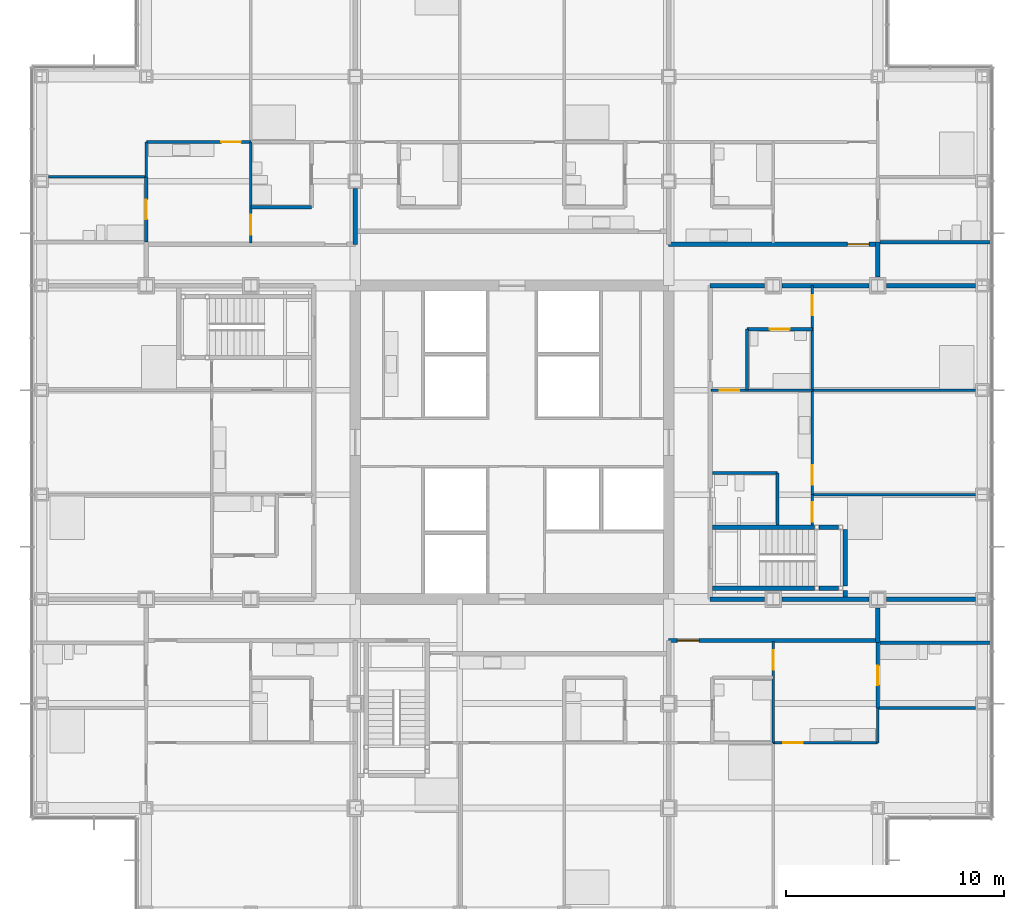
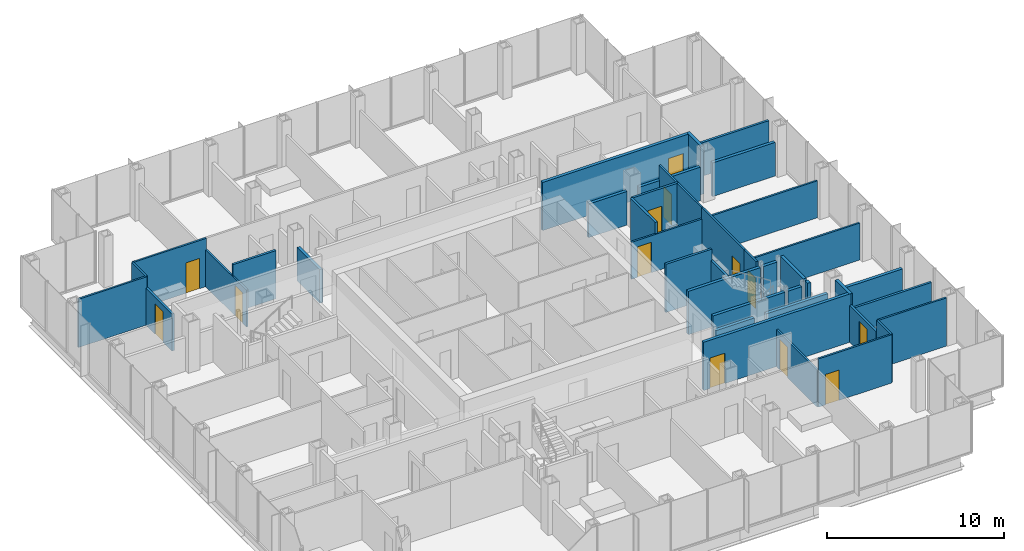
# One storey, part 16 of 21: 40 walls, 13 doors, 13 openings.
"""IFC4 building model written with IfcOpenShell, lengths in metres."""

from ifc_helpers import new_model, si_unit, direction, frame, frame_2d, origin, place, context, subcontext, project, spatial, rectangle, extrude, material, layer, layer_set, type_object, element, fill, save


model = new_model("IFC4")

# Units and contexts
model_context = context("Model", 3, precision=1e-05, world=origin(), true_north=direction((0.0, 1.0)))
body_context = subcontext(model_context, "Body", "Model", "MODEL_VIEW")
ifc_project = project(units=[si_unit("LENGTHUNIT", "METRE"), si_unit("AREAUNIT", "SQUARE_METRE"), si_unit("VOLUMEUNIT", "CUBIC_METRE"), si_unit("PLANEANGLEUNIT", "RADIAN"), si_unit("MASSUNIT", "GRAM", prefix="KILO")], contexts=[model_context])

# Site, building, storey
site_placement = place(None, origin())
site = spatial("IfcSite", under=ifc_project, at=site_placement, CompositionType="ELEMENT")
building_placement = place(site_placement, origin())
building = spatial("IfcBuilding", under=site, at=building_placement, Name="Kvirike Care Tower", CompositionType="ELEMENT")
storey_placement = place(building_placement, frame((0.0, 0.0, 65.5)))
storey = spatial("IfcBuildingStorey", under=building, at=storey_placement, Name="L17", CompositionType="ELEMENT", Elevation=65.5)

# Wall
ifc_material_1 = material(Name="Moisture-resistant board partition", Category="gypsum")
ifc_layer_1 = layer(ifc_material_1, 0.14990234375)
ifc_layer_set_1 = layer_set([ifc_layer_1], Name="BATHROOM WALL 150")
wall_type_1 = type_object("IfcWallType", Name="BATHROOM WALL 150", PredefinedType="PARTITIONING", material=ifc_layer_set_1)
wall_1_placement = place(storey_placement, frame((12.39990234375, 46.800048828125, 0.0), z_axis=(0.0, 0.0, 1.0), x_axis=(-1.0, 0.0, 0.0)))
element("IfcWall", 1, at=wall_1_placement, inside=storey, type_object=wall_type_1, Name="Bathroom Wall 150 L17", PredefinedType="PARTITIONING", context=body_context, shape_type="SweptSolid", body=[
    extrude(rectangle(XDim=2.7998046875, YDim=0.14990234375, at=frame_2d((1.39990234375, 0.0))), origin(), (0.0, 0.0, 1.0), 3.330078125),
])

# Wall, opening, door
wall_2_placement = place(storey_placement, frame((4.800048828125, 48.199951171875, 0.0), z_axis=(0.0, 0.0, 1.0), x_axis=(0.0, -1.0, 0.0)))
wall_2 = element("IfcWall", 2, at=wall_2_placement, inside=storey, type_object=wall_type_1, Name="Bathroom Wall 150 L17", PredefinedType="PARTITIONING", context=body_context, shape_type="SweptSolid", body=[
    extrude(rectangle(XDim=3.0, YDim=0.14990234375, at=frame_2d((1.5, 0.0))), origin(), (0.0, 0.0, 1.0), 2.550048828125),
])
opening_1_placement = place(wall_2_placement, frame((1.050048828125, 0.0, 0.0)))
opening_1 = element("IfcOpeningElement", 3, at=opening_1_placement, cuts=wall_2, Name="Opening 17-016", PredefinedType="OPENING", context=body_context, shape_type="SweptSolid", body=[
    extrude(rectangle(XDim=0.89990234375, YDim=2.10009765625, at=frame_2d((0.449951171875, 1.050048828125))), frame((0.0, 0.08544921875, 0.0), z_axis=(0.0, -1.0, 0.0), x_axis=(1.0, 0.0, 0.0)), (0.0, 0.0, 1.0), 0.1708984375),
])
ifc_material_2 = material(Name="Timber door set", Category="wood")
door_type_1 = type_object("IfcDoorType", Name="BATHROOM DOOR 900", OperationType="SINGLE_SWING_RIGHT", PredefinedType="DOOR", material=ifc_material_2)
door_1_placement = place(opening_1_placement, frame((0.89990234375, 0.0, 0.0), z_axis=(0.0, 0.0, 1.0), x_axis=(-1.0, 0.0, 0.0)))
door_1 = element("IfcDoor", 4, at=door_1_placement, inside=storey, type_object=door_type_1, Name="Bathroom door", OperationType="SINGLE_SWING_LEFT", OverallHeight=2.10009765625, OverallWidth=0.89990234375, PredefinedType="DOOR", context=body_context, shape_type="SweptSolid", body=[
    extrude(rectangle(XDim=0.89990234375, YDim=2.10009765625, at=frame_2d((0.449951171875, 1.050048828125))), frame((0.0, 0.02197265625, 0.0), z_axis=(0.0, -1.0, 0.0), x_axis=(1.0, 0.0, 0.0)), (0.0, 0.0, 1.0), 0.0439453125),
])
fill(opening_1, door_1)

wall_3_placement = place(storey_placement, frame((38.39990234375, 23.800048828125, 0.0), z_axis=(0.0, 0.0, 1.0), x_axis=(0.0, 1.0, 0.0)))
wall_3 = element("IfcWall", 5, at=wall_3_placement, inside=storey, type_object=wall_type_1, Name="Bathroom Wall 150 L17", PredefinedType="PARTITIONING", context=body_context, shape_type="SweptSolid", body=[
    extrude(rectangle(XDim=3.0, YDim=0.14990234375, at=frame_2d((1.5, 0.0))), origin(), (0.0, 0.0, 1.0), 2.550048828125),
])
opening_2_placement = place(wall_3_placement, frame((1.050048828125, 0.0, 0.0)))
opening_2 = element("IfcOpeningElement", 6, at=opening_2_placement, cuts=wall_3, Name="Opening 17-034", PredefinedType="OPENING", context=body_context, shape_type="SweptSolid", body=[
    extrude(rectangle(XDim=0.89990234375, YDim=2.10009765625, at=frame_2d((0.449951171875, 1.050048828125))), frame((0.0, 0.08544921875, 0.0), z_axis=(0.0, -1.0, 0.0), x_axis=(1.0, 0.0, 0.0)), (0.0, 0.0, 1.0), 0.1708984375),
])
door_2_placement = place(opening_2_placement, frame((0.89990234375, 0.0, 0.0), z_axis=(0.0, 0.0, 1.0), x_axis=(-1.0, 0.0, 0.0)))
door_2 = element("IfcDoor", 7, at=door_2_placement, inside=storey, type_object=door_type_1, Name="Bathroom door", OperationType="SINGLE_SWING_LEFT", OverallHeight=2.10009765625, OverallWidth=0.89990234375, PredefinedType="DOOR", context=body_context, shape_type="SweptSolid", body=[
    extrude(rectangle(XDim=0.89990234375, YDim=2.10009765625, at=frame_2d((0.449951171875, 1.050048828125))), frame((0.0, 0.02197265625, 0.0), z_axis=(0.0, -1.0, 0.0), x_axis=(1.0, 0.0, 0.0)), (0.0, 0.0, 1.0), 0.0439453125),
])
fill(opening_2, door_2)

# Walls
wall_4_placement = place(storey_placement, frame((33.800048828125, 32.199951171875, 0.0), z_axis=(0.0, 0.0, 1.0), x_axis=(0.0, 1.0, 0.0)))
element("IfcWall", 8, at=wall_4_placement, inside=storey, type_object=wall_type_1, Name="Bathroom Wall 150 L17", PredefinedType="PARTITIONING", context=body_context, shape_type="SweptSolid", body=[
    extrude(rectangle(XDim=2.400146484375, YDim=0.14990234375, at=frame_2d((1.2001953125, 0.0))), origin(), (0.0, 0.0, 1.0), 2.550048828125),
])
wall_5_placement = place(storey_placement, frame((33.800048828125, 34.60009765625, 0.0), z_axis=(0.0, 0.0, 1.0), x_axis=(-1.0, 0.0, 0.0)))
element("IfcWall", 9, at=wall_5_placement, inside=storey, type_object=wall_type_1, Name="Bathroom Wall 150 L17", PredefinedType="PARTITIONING", context=body_context, shape_type="SweptSolid", body=[
    extrude(rectangle(XDim=3.0, YDim=0.14990234375, at=frame_2d((1.5, 0.0))), origin(), (0.0, 0.0, 1.0), 3.330078125),
])

# Wall, opening, door
wall_6_placement = place(storey_placement, frame((35.39990234375, 41.199951171875, 0.0), z_axis=(0.0, 0.0, 1.0), x_axis=(-1.0, 0.0, 0.0)))
wall_6 = element("IfcWall", 10, at=wall_6_placement, inside=storey, type_object=wall_type_1, Name="Bathroom Wall 150 L17", PredefinedType="PARTITIONING", context=body_context, shape_type="SweptSolid", body=[
    extrude(rectangle(XDim=3.0, YDim=0.14990234375, at=frame_2d((1.5, 0.0))), origin(), (0.0, 0.0, 1.0), 3.330078125),
])
opening_3_placement = place(wall_6_placement, frame((1.050048828125, 0.0, 0.0)))
opening_3 = element("IfcOpeningElement", 11, at=opening_3_placement, cuts=wall_6, Name="Opening 17-039", PredefinedType="OPENING", context=body_context, shape_type="SweptSolid", body=[
    extrude(rectangle(XDim=0.89990234375, YDim=2.10009765625, at=frame_2d((0.449951171875, 1.050048828125))), frame((0.0, 0.08544921875, 0.0), z_axis=(0.0, -1.0, 0.0), x_axis=(1.0, 0.0, 0.0)), (0.0, 0.0, 1.0), 0.1708984375),
])
door_3_placement = place(opening_3_placement, origin())
door_3 = element("IfcDoor", 12, at=door_3_placement, inside=storey, type_object=door_type_1, Name="Bathroom door", OperationType="SINGLE_SWING_RIGHT", OverallHeight=2.10009765625, OverallWidth=0.89990234375, PredefinedType="DOOR", context=body_context, shape_type="SweptSolid", body=[
    extrude(rectangle(XDim=0.89990234375, YDim=2.10009765625, at=frame_2d((0.449951171875, 1.050048828125))), frame((0.0, 0.02197265625, 0.0), z_axis=(0.0, -1.0, 0.0), x_axis=(1.0, 0.0, 0.0)), (0.0, 0.0, 1.0), 0.0439453125),
])
fill(opening_3, door_3)

# Walls
wall_7_placement = place(storey_placement, frame((32.39990234375, 38.39990234375, 0.0), z_axis=(0.0, 0.0, 1.0), x_axis=(0.0, 1.0, 0.0)))
element("IfcWall", 13, at=wall_7_placement, inside=storey, type_object=wall_type_1, Name="Bathroom Wall 150 L17", PredefinedType="PARTITIONING", context=body_context, shape_type="SweptSolid", body=[
    extrude(rectangle(XDim=2.800048828125, YDim=0.14990234375, at=frame_2d((1.39990234375, 0.0))), origin(), (0.0, 0.0, 1.0), 3.330078125),
])
for number, where, z_axis, x_axis, name in (
    (14, (38.5, 26.800048828125, 0.0), (0.0, 0.0, 1.0), (1.0, 0.0, 0.0), "Bathroom Wall 150 L17"),
    (15, (43.6298828125, 45.199951171875, 0.0), (0.0, 0.0, 1.0), (-1.0, 0.0, 0.0), "Bathroom Wall 150 L17"),
):
    element("IfcWall", number, at=place(storey_placement, frame(where, z_axis=z_axis, x_axis=x_axis)), inside=storey, type_object=wall_type_1, Name=name, PredefinedType="PARTITIONING", context=body_context, shape_type="SweptSolid", body=[
        extrude(rectangle(XDim=5.1298828125, YDim=0.14990234375, at=frame_2d((2.56494140625, 0.0))), origin(), (0.0, 0.0, 1.0), 2.320068359375),
    ])

# Wall, opening, door
ifc_material_3 = material(Name="Plasterboard corridor wall", Category="gypsum")
ifc_layer_2 = layer(ifc_material_3, 0.199951171875)
ifc_layer_set_2 = layer_set([ifc_layer_2], Name="CORRIDOR WALL 200")
wall_type_2 = type_object("IfcWallType", Name="CORRIDOR WALL 200", PredefinedType="PARTITIONING", material=ifc_layer_set_2)
wall_8_placement = place(storey_placement, frame((28.800048828125, 26.89990234375, 0.0), z_axis=(0.0, 0.0, 1.0), x_axis=(1.0, 0.0, 0.0)))
wall_8 = element("IfcWall", 16, at=wall_8_placement, inside=storey, type_object=wall_type_2, Name="Corridor Wall 200 L17", PredefinedType="PARTITIONING", context=body_context, shape_type="SweptSolid", body=[
    extrude(rectangle(XDim=9.599853515625, YDim=0.199951171875, at=frame_2d((4.7998046875, 0.0))), origin(), (0.0, 0.0, 1.0), 3.330078125),
])
opening_4_placement = place(wall_8_placement, frame((0.39990234375, 0.0, 0.0)))
opening_4 = element("IfcOpeningElement", 17, at=opening_4_placement, cuts=wall_8, Name="Opening 17-038", PredefinedType="OPENING", context=body_context, shape_type="SweptSolid", body=[
    extrude(rectangle(XDim=1.0, YDim=2.10009765625, at=frame_2d((0.5, 1.050048828125))), frame((0.0, 0.110595703125, 0.0), z_axis=(0.0, -1.0, 0.0), x_axis=(1.0, 0.0, 0.0)), (0.0, 0.0, 1.0), 0.220947265625),
])
ifc_material_4 = material(Name="Timber door set", Category="wood")
door_type_2 = type_object("IfcDoorType", Name="FLAT ENTRANCE DOOR 1000", OperationType="SINGLE_SWING_LEFT", PredefinedType="DOOR", material=ifc_material_4)
door_4_placement = place(opening_4_placement, frame((1.0, 0.0, 0.0), z_axis=(0.0, 0.0, 1.0), x_axis=(-1.0, 0.0, 0.0)))
door_4 = element("IfcDoor", 18, at=door_4_placement, inside=storey, type_object=door_type_2, Name="One-bedroom apartment entrance", OperationType="SINGLE_SWING_LEFT", OverallHeight=2.10009765625, OverallWidth=1.0, PredefinedType="DOOR", context=body_context, shape_type="SweptSolid", body=[
    extrude(rectangle(XDim=1.0, YDim=2.10009765625, at=frame_2d((0.5, 1.050048828125))), frame((0.0, 0.02685546875, 0.0), z_axis=(0.0, -1.0, 0.0), x_axis=(1.0, 0.0, 0.0)), (0.0, 0.0, 1.0), 0.053955078125),
])
fill(opening_4, door_4)

# Wall
wall_9_placement = place(storey_placement, frame((38.39990234375, 26.800048828125, 0.0), z_axis=(0.0, 0.0, 1.0), x_axis=(0.0, 1.0, 0.0)))
element("IfcWall", 19, at=wall_9_placement, inside=storey, type_object=wall_type_2, Name="Corridor Wall 200 L17", PredefinedType="PARTITIONING", context=body_context, shape_type="SweptSolid", body=[
    extrude(rectangle(XDim=1.60498046875, YDim=0.199951171875, at=frame_2d((0.802490234375, 0.0))), origin(), (0.0, 0.0, 1.0), 3.330078125),
])

# Wall, opening, door
wall_10_placement = place(storey_placement, frame((38.39990234375, 45.10009765625, 0.0), z_axis=(0.0, 0.0, 1.0), x_axis=(-1.0, 0.0, 0.0)))
wall_10 = element("IfcWall", 20, at=wall_10_placement, inside=storey, type_object=wall_type_2, Name="Corridor Wall 200 L17", PredefinedType="PARTITIONING", context=body_context, shape_type="SweptSolid", body=[
    extrude(rectangle(XDim=9.599853515625, YDim=0.199951171875, at=frame_2d((4.7998046875, 0.0))), origin(), (0.0, 0.0, 1.0), 3.330078125),
])
opening_5_placement = place(wall_10_placement, frame((0.39990234375, 0.0, 0.0)))
opening_5 = element("IfcOpeningElement", 21, at=opening_5_placement, cuts=wall_10, Name="Opening 17-052", PredefinedType="OPENING", context=body_context, shape_type="SweptSolid", body=[
    extrude(rectangle(XDim=1.0, YDim=2.10009765625, at=frame_2d((0.5, 1.050048828125))), frame((0.0, 0.110595703125, 0.0), z_axis=(0.0, -1.0, 0.0), x_axis=(1.0, 0.0, 0.0)), (0.0, 0.0, 1.0), 0.220947265625),
])
door_5_placement = place(opening_5_placement, frame((1.0, 0.0, 0.0), z_axis=(0.0, 0.0, 1.0), x_axis=(-1.0, 0.0, 0.0)))
door_5 = element("IfcDoor", 22, at=door_5_placement, inside=storey, type_object=door_type_2, Name="One-bedroom apartment entrance", OperationType="SINGLE_SWING_LEFT", OverallHeight=2.10009765625, OverallWidth=1.0, PredefinedType="DOOR", context=body_context, shape_type="SweptSolid", body=[
    extrude(rectangle(XDim=1.0, YDim=2.10009765625, at=frame_2d((0.5, 1.050048828125))), frame((0.0, 0.02685546875, 0.0), z_axis=(0.0, -1.0, 0.0), x_axis=(1.0, 0.0, 0.0)), (0.0, 0.0, 1.0), 0.053955078125),
])
fill(opening_5, door_5)

# Wall
wall_11_placement = place(storey_placement, frame((38.39990234375, 45.199951171875, 0.0), z_axis=(0.0, 0.0, 1.0), x_axis=(0.0, -1.0, 0.0)))
element("IfcWall", 23, at=wall_11_placement, inside=storey, type_object=wall_type_2, Name="Corridor Wall 200 L17", PredefinedType="PARTITIONING", context=body_context, shape_type="SweptSolid", body=[
    extrude(rectangle(XDim=1.60498046875, YDim=0.199951171875, at=frame_2d((0.802490234375, 0.0))), origin(), (0.0, 0.0, 1.0), 3.330078125),
])

# Wall, opening, door
ifc_material_5 = material(Name="Plasterboard partition", Category="gypsum")
ifc_layer_3 = layer(ifc_material_5, 0.1201171875)
ifc_layer_set_3 = layer_set([ifc_layer_3], Name="PARTITION 120")
wall_type_3 = type_object("IfcWallType", Name="PARTITION 120", PredefinedType="PARTITIONING", material=ifc_layer_set_3)
wall_12_placement = place(storey_placement, frame((9.60009765625, 49.800048828125, 0.0), z_axis=(0.0, 0.0, 1.0), x_axis=(0.0, -1.0, 0.0)))
wall_12 = element("IfcWall", 24, at=wall_12_placement, inside=storey, type_object=wall_type_3, Name="Partition 120 L17", PredefinedType="PARTITIONING", context=body_context, shape_type="SweptSolid", body=[
    extrude(rectangle(XDim=4.650146484375, YDim=0.1201171875, at=frame_2d((2.3251953125, 0.0))), origin(), (0.0, 0.0, 1.0), 2.550048828125),
])
opening_6_placement = place(wall_12_placement, frame((3.35009765625, 0.0, 0.0)))
opening_6 = element("IfcOpeningElement", 25, at=opening_6_placement, cuts=wall_12, Name="Opening 17-017", PredefinedType="OPENING", context=body_context, shape_type="SweptSolid", body=[
    extrude(rectangle(XDim=0.89990234375, YDim=2.10009765625, at=frame_2d((0.449951171875, 1.050048828125))), frame((0.0, 0.070556640625, 0.0), z_axis=(0.0, -1.0, 0.0), x_axis=(1.0, 0.0, 0.0)), (0.0, 0.0, 1.0), 0.14111328125),
])
ifc_material_6 = material(Name="Timber door set", Category="wood")
door_type_3 = type_object("IfcDoorType", Name="INTERNAL DOOR 900", OperationType="SINGLE_SWING_LEFT", PredefinedType="DOOR", material=ifc_material_6)
door_6_placement = place(opening_6_placement, origin())
door_6 = element("IfcDoor", 26, at=door_6_placement, inside=storey, type_object=door_type_3, Name="Hall door", OperationType="SINGLE_SWING_RIGHT", OverallHeight=2.10009765625, OverallWidth=0.89990234375, PredefinedType="DOOR", context=body_context, shape_type="SweptSolid", body=[
    extrude(rectangle(XDim=0.89990234375, YDim=2.10009765625, at=frame_2d((0.449951171875, 1.050048828125))), frame((0.0, 0.02197265625, 0.0), z_axis=(0.0, -1.0, 0.0), x_axis=(1.0, 0.0, 0.0)), (0.0, 0.0, 1.0), 0.0439453125),
])
fill(opening_6, door_6)

wall_13_placement = place(storey_placement, frame((9.60009765625, 49.800048828125, 0.0), z_axis=(0.0, 0.0, 1.0), x_axis=(-1.0, 0.0, 0.0)))
wall_13 = element("IfcWall", 27, at=wall_13_placement, inside=storey, type_object=wall_type_3, Name="Partition 120 L17", PredefinedType="PARTITIONING", context=body_context, shape_type="SweptSolid", body=[
    extrude(rectangle(XDim=4.800048828125, YDim=0.1201171875, at=frame_2d((2.39990234375, 0.0))), origin(), (0.0, 0.0, 1.0), 3.330078125),
])
opening_7_placement = place(wall_13_placement, frame((0.449951171875, 0.0, 0.0)))
opening_7 = element("IfcOpeningElement", 28, at=opening_7_placement, cuts=wall_13, Name="Opening 17-019", PredefinedType="OPENING", context=body_context, shape_type="SweptSolid", body=[
    extrude(rectangle(XDim=0.89990234375, YDim=2.10009765625, at=frame_2d((0.449951171875, 1.050048828125))), frame((0.0, 0.070556640625, 0.0), z_axis=(0.0, -1.0, 0.0), x_axis=(1.0, 0.0, 0.0)), (0.0, 0.0, 1.0), 0.14111328125),
])
door_7_placement = place(opening_7_placement, origin())
door_7 = element("IfcDoor", 29, at=door_7_placement, inside=storey, type_object=door_type_3, Name="Apartment living and dining room door", OperationType="SINGLE_SWING_RIGHT", OverallHeight=2.10009765625, OverallWidth=0.89990234375, PredefinedType="DOOR", context=body_context, shape_type="SweptSolid", body=[
    extrude(rectangle(XDim=0.89990234375, YDim=2.10009765625, at=frame_2d((0.449951171875, 1.050048828125))), frame((0.0, 0.02197265625, 0.0), z_axis=(0.0, -1.0, 0.0), x_axis=(1.0, 0.0, 0.0)), (0.0, 0.0, 1.0), 0.0439453125),
])
fill(opening_7, door_7)

# Walls
wall_14_placement = place(storey_placement, frame((4.800048828125, 48.199951171875, 0.0), z_axis=(0.0, 0.0, 1.0), x_axis=(-1.0, 0.0, 0.0)))
element("IfcWall", 30, at=wall_14_placement, inside=storey, type_object=wall_type_3, Name="Partition 120 L17", PredefinedType="PARTITIONING", context=body_context, shape_type="SweptSolid", body=[
    extrude(rectangle(XDim=4.47998046875, YDim=0.1201171875, at=frame_2d((2.239990234375, 0.0))), origin(), (0.0, 0.0, 1.0), 3.330078125),
])
wall_15_placement = place(storey_placement, frame((4.800048828125, 49.800048828125, 0.0), z_axis=(0.0, 0.0, 1.0), x_axis=(0.0, -1.0, 0.0)))
element("IfcWall", 31, at=wall_15_placement, inside=storey, type_object=wall_type_3, Name="Partition 120 L17", PredefinedType="PARTITIONING", context=body_context, shape_type="SweptSolid", body=[
    extrude(rectangle(XDim=1.60009765625, YDim=0.1201171875, at=frame_2d((0.800048828125, 0.0))), origin(), (0.0, 0.0, 1.0), 3.330078125),
])

# Wall, opening, door
wall_16_placement = place(storey_placement, frame((33.60009765625, 22.199951171875, 0.0), z_axis=(0.0, 0.0, 1.0), x_axis=(0.0, 1.0, 0.0)))
wall_16 = element("IfcWall", 32, at=wall_16_placement, inside=storey, type_object=wall_type_3, Name="Partition 120 L17", PredefinedType="PARTITIONING", context=body_context, shape_type="SweptSolid", body=[
    extrude(rectangle(XDim=4.650146484375, YDim=0.1201171875, at=frame_2d((2.3251953125, 0.0))), origin(), (0.0, 0.0, 1.0), 2.550048828125),
])
opening_8_placement = place(wall_16_placement, frame((3.35009765625, 0.0, 0.0)))
opening_8 = element("IfcOpeningElement", 33, at=opening_8_placement, cuts=wall_16, Name="Opening 17-035", PredefinedType="OPENING", context=body_context, shape_type="SweptSolid", body=[
    extrude(rectangle(XDim=0.89990234375, YDim=2.10009765625, at=frame_2d((0.449951171875, 1.050048828125))), frame((0.0, 0.070556640625, 0.0), z_axis=(0.0, -1.0, 0.0), x_axis=(1.0, 0.0, 0.0)), (0.0, 0.0, 1.0), 0.14111328125),
])
door_8_placement = place(opening_8_placement, origin())
door_8 = element("IfcDoor", 34, at=door_8_placement, inside=storey, type_object=door_type_3, Name="Hall door", OperationType="SINGLE_SWING_RIGHT", OverallHeight=2.10009765625, OverallWidth=0.89990234375, PredefinedType="DOOR", context=body_context, shape_type="SweptSolid", body=[
    extrude(rectangle(XDim=0.89990234375, YDim=2.10009765625, at=frame_2d((0.449951171875, 1.050048828125))), frame((0.0, 0.02197265625, 0.0), z_axis=(0.0, -1.0, 0.0), x_axis=(1.0, 0.0, 0.0)), (0.0, 0.0, 1.0), 0.0439453125),
])
fill(opening_8, door_8)

wall_17_placement = place(storey_placement, frame((33.60009765625, 22.199951171875, 0.0), z_axis=(0.0, 0.0, 1.0), x_axis=(1.0, 0.0, 0.0)))
wall_17 = element("IfcWall", 35, at=wall_17_placement, inside=storey, type_object=wall_type_3, Name="Partition 120 L17", PredefinedType="PARTITIONING", context=body_context, shape_type="SweptSolid", body=[
    extrude(rectangle(XDim=4.7998046875, YDim=0.1201171875, at=frame_2d((2.39990234375, 0.0))), origin(), (0.0, 0.0, 1.0), 3.330078125),
])
opening_9_placement = place(wall_17_placement, frame((0.449951171875, 0.0, 0.0)))
opening_9 = element("IfcOpeningElement", 36, at=opening_9_placement, cuts=wall_17, Name="Opening 17-037", PredefinedType="OPENING", context=body_context, shape_type="SweptSolid", body=[
    extrude(rectangle(XDim=0.89990234375, YDim=2.10009765625, at=frame_2d((0.449951171875, 1.050048828125))), frame((0.0, 0.070556640625, 0.0), z_axis=(0.0, -1.0, 0.0), x_axis=(1.0, 0.0, 0.0)), (0.0, 0.0, 1.0), 0.14111328125),
])
door_9_placement = place(opening_9_placement, origin())
door_9 = element("IfcDoor", 37, at=door_9_placement, inside=storey, type_object=door_type_3, Name="Apartment living and dining room door", OperationType="SINGLE_SWING_RIGHT", OverallHeight=2.10009765625, OverallWidth=0.89990234375, PredefinedType="DOOR", context=body_context, shape_type="SweptSolid", body=[
    extrude(rectangle(XDim=0.89990234375, YDim=2.10009765625, at=frame_2d((0.449951171875, 1.050048828125))), frame((0.0, 0.02197265625, 0.0), z_axis=(0.0, -1.0, 0.0), x_axis=(1.0, 0.0, 0.0)), (0.0, 0.0, 1.0), 0.0439453125),
])
fill(opening_9, door_9)

# Walls
wall_18_placement = place(storey_placement, frame((38.39990234375, 23.800048828125, 0.0), z_axis=(0.0, 0.0, 1.0), x_axis=(1.0, 0.0, 0.0)))
element("IfcWall", 38, at=wall_18_placement, inside=storey, type_object=wall_type_3, Name="Partition 120 L17", PredefinedType="PARTITIONING", context=body_context, shape_type="SweptSolid", body=[
    extrude(rectangle(XDim=4.47998046875, YDim=0.1201171875, at=frame_2d((2.239990234375, 0.0))), origin(), (0.0, 0.0, 1.0), 3.330078125),
])
wall_19_placement = place(storey_placement, frame((38.39990234375, 22.199951171875, 0.0), z_axis=(0.0, 0.0, 1.0), x_axis=(0.0, 1.0, 0.0)))
element("IfcWall", 39, at=wall_19_placement, inside=storey, type_object=wall_type_3, Name="Partition 120 L17", PredefinedType="PARTITIONING", context=body_context, shape_type="SweptSolid", body=[
    extrude(rectangle(XDim=1.60009765625, YDim=0.1201171875, at=frame_2d((0.800048828125, 0.0))), origin(), (0.0, 0.0, 1.0), 3.330078125),
])

# Wall, opening, door
wall_20_placement = place(storey_placement, frame((35.39990234375, 38.39990234375, 0.0), z_axis=(0.0, 0.0, 1.0), x_axis=(-1.0, 0.0, 0.0)))
wall_20 = element("IfcWall", 40, at=wall_20_placement, inside=storey, type_object=wall_type_3, Name="Partition 120 L17", PredefinedType="PARTITIONING", context=body_context, shape_type="SweptSolid", body=[
    extrude(rectangle(XDim=4.64990234375, YDim=0.1201171875, at=frame_2d((2.324951171875, 0.0))), origin(), (0.0, 0.0, 1.0), 2.550048828125),
])
opening_10_placement = place(wall_20_placement, frame((3.35009765625, 0.0, 0.0)))
opening_10 = element("IfcOpeningElement", 41, at=opening_10_placement, cuts=wall_20, Name="Opening 17-040", PredefinedType="OPENING", context=body_context, shape_type="SweptSolid", body=[
    extrude(rectangle(XDim=0.89990234375, YDim=2.10009765625, at=frame_2d((0.449951171875, 1.050048828125))), frame((0.0, 0.070556640625, 0.0), z_axis=(0.0, -1.0, 0.0), x_axis=(1.0, 0.0, 0.0)), (0.0, 0.0, 1.0), 0.14111328125),
])
door_10_placement = place(opening_10_placement, origin())
door_10 = element("IfcDoor", 42, at=door_10_placement, inside=storey, type_object=door_type_3, Name="Hall door", OperationType="SINGLE_SWING_LEFT", OverallHeight=2.10009765625, OverallWidth=0.89990234375, PredefinedType="DOOR", context=body_context, shape_type="SweptSolid", body=[
    extrude(rectangle(XDim=0.89990234375, YDim=2.10009765625, at=frame_2d((0.449951171875, 1.050048828125))), frame((0.0, 0.02197265625, 0.0), z_axis=(0.0, -1.0, 0.0), x_axis=(1.0, 0.0, 0.0)), (0.0, 0.0, 1.0), 0.0439453125),
])
fill(opening_10, door_10)

wall_21_placement = place(storey_placement, frame((35.39990234375, 32.199951171875, 0.0), z_axis=(0.0, 0.0, 1.0), x_axis=(0.0, 1.0, 0.0)))
wall_21 = element("IfcWall", 43, at=wall_21_placement, inside=storey, type_object=wall_type_3, Name="Partition 120 L17", PredefinedType="PARTITIONING", context=body_context, shape_type="SweptSolid", body=[
    extrude(rectangle(XDim=1.400146484375, YDim=0.1201171875, at=frame_2d((0.7001953125, 0.0))), origin(), (0.0, 0.0, 1.0), 3.330078125),
])
opening_11_placement = place(wall_21_placement, frame((0.14990234375, 0.0, 0.0)))
opening_11 = element("IfcOpeningElement", 44, at=opening_11_placement, cuts=wall_21, Name="Opening 17-041", PredefinedType="OPENING", context=body_context, shape_type="SweptSolid", body=[
    extrude(rectangle(XDim=0.89990234375, YDim=2.10009765625, at=frame_2d((0.449951171875, 1.050048828125))), frame((0.0, 0.070556640625, 0.0), z_axis=(0.0, -1.0, 0.0), x_axis=(1.0, 0.0, 0.0)), (0.0, 0.0, 1.0), 0.14111328125),
])
door_11_placement = place(opening_11_placement, origin())
door_11 = element("IfcDoor", 45, at=door_11_placement, inside=storey, type_object=door_type_3, Name="Apartment bedroom door", OperationType="SINGLE_SWING_RIGHT", OverallHeight=2.10009765625, OverallWidth=0.89990234375, PredefinedType="DOOR", context=body_context, shape_type="SweptSolid", body=[
    extrude(rectangle(XDim=0.89990234375, YDim=2.10009765625, at=frame_2d((0.449951171875, 1.050048828125))), frame((0.0, 0.02197265625, 0.0), z_axis=(0.0, -1.0, 0.0), x_axis=(1.0, 0.0, 0.0)), (0.0, 0.0, 1.0), 0.0439453125),
])
fill(opening_11, door_11)

wall_22_placement = place(storey_placement, frame((35.39990234375, 33.60009765625, 0.0), z_axis=(0.0, 0.0, 1.0), x_axis=(0.0, 1.0, 0.0)))
wall_22 = element("IfcWall", 46, at=wall_22_placement, inside=storey, type_object=wall_type_3, Name="Partition 120 L17", PredefinedType="PARTITIONING", context=body_context, shape_type="SweptSolid", body=[
    extrude(rectangle(XDim=4.7998046875, YDim=0.1201171875, at=frame_2d((2.39990234375, 0.0))), origin(), (0.0, 0.0, 1.0), 3.330078125),
])
opening_12_placement = place(wall_22_placement, frame((0.449951171875, 0.0, 0.0)))
opening_12 = element("IfcOpeningElement", 47, at=opening_12_placement, cuts=wall_22, Name="Opening 17-042", PredefinedType="OPENING", context=body_context, shape_type="SweptSolid", body=[
    extrude(rectangle(XDim=0.89990234375, YDim=2.10009765625, at=frame_2d((0.449951171875, 1.050048828125))), frame((0.0, 0.070556640625, 0.0), z_axis=(0.0, -1.0, 0.0), x_axis=(1.0, 0.0, 0.0)), (0.0, 0.0, 1.0), 0.14111328125),
])
door_12_placement = place(opening_12_placement, origin())
door_12 = element("IfcDoor", 48, at=door_12_placement, inside=storey, type_object=door_type_3, Name="Apartment living room door", OperationType="SINGLE_SWING_RIGHT", OverallHeight=2.10009765625, OverallWidth=0.89990234375, PredefinedType="DOOR", context=body_context, shape_type="SweptSolid", body=[
    extrude(rectangle(XDim=0.89990234375, YDim=2.10009765625, at=frame_2d((0.449951171875, 1.050048828125))), frame((0.0, 0.02197265625, 0.0), z_axis=(0.0, -1.0, 0.0), x_axis=(1.0, 0.0, 0.0)), (0.0, 0.0, 1.0), 0.0439453125),
])
fill(opening_12, door_12)

wall_23_placement = place(storey_placement, frame((35.39990234375, 38.39990234375, 0.0), z_axis=(0.0, 0.0, 1.0), x_axis=(0.0, 1.0, 0.0)))
wall_23 = element("IfcWall", 49, at=wall_23_placement, inside=storey, type_object=wall_type_3, Name="Partition 120 L17", PredefinedType="PARTITIONING", context=body_context, shape_type="SweptSolid", body=[
    extrude(rectangle(XDim=4.800048828125, YDim=0.1201171875, at=frame_2d((2.39990234375, 0.0))), origin(), (0.0, 0.0, 1.0), 3.330078125),
])
opening_13_placement = place(wall_23_placement, frame((3.449951171875, 0.0, 0.0)))
opening_13 = element("IfcOpeningElement", 50, at=opening_13_placement, cuts=wall_23, Name="Opening 17-043", PredefinedType="OPENING", context=body_context, shape_type="SweptSolid", body=[
    extrude(rectangle(XDim=0.89990234375, YDim=2.10009765625, at=frame_2d((0.449951171875, 1.050048828125))), frame((0.0, 0.070556640625, 0.0), z_axis=(0.0, -1.0, 0.0), x_axis=(1.0, 0.0, 0.0)), (0.0, 0.0, 1.0), 0.14111328125),
])
door_13_placement = place(opening_13_placement, origin())
door_13 = element("IfcDoor", 51, at=door_13_placement, inside=storey, type_object=door_type_3, Name="Apartment bedroom door", OperationType="SINGLE_SWING_LEFT", OverallHeight=2.10009765625, OverallWidth=0.89990234375, PredefinedType="DOOR", context=body_context, shape_type="SweptSolid", body=[
    extrude(rectangle(XDim=0.89990234375, YDim=2.10009765625, at=frame_2d((0.449951171875, 1.050048828125))), frame((0.0, 0.02197265625, 0.0), z_axis=(0.0, -1.0, 0.0), x_axis=(1.0, 0.0, 0.0)), (0.0, 0.0, 1.0), 0.0439453125),
])
fill(opening_13, door_13)

# Walls
for number, where, z_axis, x_axis, name in (
    (52, (42.8798828125, 33.60009765625, 0.0), (0.0, 0.0, 1.0), (-1.0, 0.0, 0.0), "Partition 120 L17"),
    (53, (42.8798828125, 38.39990234375, 0.0), (0.0, 0.0, 1.0), (-1.0, 0.0, 0.0), "Partition 120 L17"),
):
    element("IfcWall", number, at=place(storey_placement, frame(where, z_axis=z_axis, x_axis=x_axis)), inside=storey, type_object=wall_type_3, Name=name, PredefinedType="PARTITIONING", context=body_context, shape_type="SweptSolid", body=[
        extrude(rectangle(XDim=7.47998046875, YDim=0.1201171875, at=frame_2d((3.739990234375, 0.0))), origin(), (0.0, 0.0, 1.0), 2.550048828125),
    ])
ifc_material_7 = material(Name="Plasterboard party wall", Category="gypsum")
ifc_layer_4 = layer(ifc_material_7, 0.199951171875)
ifc_layer_set_4 = layer_set([ifc_layer_4], Name="PARTY WALL 200")
wall_type_4 = type_object("IfcWallType", Name="PARTY WALL 200", PredefinedType="PARTITIONING", material=ifc_layer_set_4)
wall_24_placement = place(storey_placement, frame((14.39990234375, 45.10009765625, 0.0), z_axis=(0.0, 0.0, 1.0), x_axis=(0.0, 1.0, 0.0)))
element("IfcWall", 54, at=wall_24_placement, inside=storey, type_object=wall_type_4, Name="Party Wall 200 L17", PredefinedType="PARTITIONING", context=body_context, shape_type="SweptSolid", body=[
    extrude(rectangle(XDim=2.554931640625, YDim=0.199951171875, at=frame_2d((1.27734375, 0.0))), origin(), (0.0, 0.0, 1.0), 2.320068359375),
])
wall_25_placement = place(storey_placement, frame((42.8798828125, 28.800048828125, 0.0), z_axis=(0.0, 0.0, 1.0), x_axis=(-1.0, 0.0, 0.0)))
element("IfcWall", 55, at=wall_25_placement, inside=storey, type_object=wall_type_4, Name="Party Wall 200 L17", PredefinedType="PARTITIONING", context=body_context, shape_type="SweptSolid", body=[
    extrude(rectangle(XDim=4.0849609375, YDim=0.199951171875, at=frame_2d((2.04248046875, 0.0))), origin(), (0.0, 0.0, 1.0), 2.320068359375),
])
wall_26_placement = place(storey_placement, frame((38.0048828125, 28.800048828125, 0.0), z_axis=(0.0, 0.0, 1.0), x_axis=(-1.0, 0.0, 0.0)))
element("IfcWall", 56, at=wall_26_placement, inside=storey, type_object=wall_type_4, Name="Party Wall 200 L17", PredefinedType="PARTITIONING", context=body_context, shape_type="SweptSolid", body=[
    extrude(rectangle(XDim=4.009765625, YDim=0.199951171875, at=frame_2d((2.0048828125, 0.0))), origin(), (0.0, 0.0, 1.0), 2.320068359375),
])
wall_27_placement = place(storey_placement, frame((33.205078125, 28.800048828125, 0.0), z_axis=(0.0, 0.0, 1.0), x_axis=(-1.0, 0.0, 0.0)))
element("IfcWall", 57, at=wall_27_placement, inside=storey, type_object=wall_type_4, Name="Party Wall 200 L17", PredefinedType="PARTITIONING", context=body_context, shape_type="SweptSolid", body=[
    extrude(rectangle(XDim=2.505126953125, YDim=0.199951171875, at=frame_2d((1.25244140625, 0.0))), origin(), (0.0, 0.0, 1.0), 2.320068359375),
])
wall_28_placement = place(storey_placement, frame((42.8798828125, 43.199951171875, 0.0), z_axis=(0.0, 0.0, 1.0), x_axis=(-1.0, 0.0, 0.0)))
element("IfcWall", 58, at=wall_28_placement, inside=storey, type_object=wall_type_4, Name="Party Wall 200 L17", PredefinedType="PARTITIONING", context=body_context, shape_type="SweptSolid", body=[
    extrude(rectangle(XDim=4.0849609375, YDim=0.199951171875, at=frame_2d((2.04248046875, 0.0))), origin(), (0.0, 0.0, 1.0), 2.320068359375),
])
wall_29_placement = place(storey_placement, frame((38.0048828125, 43.199951171875, 0.0), z_axis=(0.0, 0.0, 1.0), x_axis=(-1.0, 0.0, 0.0)))
element("IfcWall", 59, at=wall_29_placement, inside=storey, type_object=wall_type_4, Name="Party Wall 200 L17", PredefinedType="PARTITIONING", context=body_context, shape_type="SweptSolid", body=[
    extrude(rectangle(XDim=4.009765625, YDim=0.199951171875, at=frame_2d((2.0048828125, 0.0))), origin(), (0.0, 0.0, 1.0), 2.320068359375),
])
wall_30_placement = place(storey_placement, frame((33.205078125, 43.199951171875, 0.0), z_axis=(0.0, 0.0, 1.0), x_axis=(-1.0, 0.0, 0.0)))
element("IfcWall", 60, at=wall_30_placement, inside=storey, type_object=wall_type_4, Name="Party Wall 200 L17", PredefinedType="PARTITIONING", context=body_context, shape_type="SweptSolid", body=[
    extrude(rectangle(XDim=2.505126953125, YDim=0.199951171875, at=frame_2d((1.25244140625, 0.0))), origin(), (0.0, 0.0, 1.0), 2.320068359375),
])
ifc_material_8 = material(Name="Concrete C40/50", Category="concrete")
ifc_layer_5 = layer(ifc_material_8, 0.199951171875)
ifc_layer_set_5 = layer_set([ifc_layer_5], Name="STAIR WALL 200")
wall_type_5 = type_object("IfcWallType", Name="STAIR WALL 200", PredefinedType="SOLIDWALL", material=ifc_layer_set_5)
wall_31_placement = place(storey_placement, frame((36.60009765625, 29.300048828125, 0.0), z_axis=(0.0, 0.0, 1.0), x_axis=(-1.0, 0.0, 0.0)))
element("IfcWall", 61, at=wall_31_placement, inside=storey, type_object=wall_type_5, Name="Stair Wall 200 L17", PredefinedType="SOLIDWALL", context=body_context, shape_type="SweptSolid", body=[
    extrude(rectangle(XDim=0.900146484375, YDim=0.199951171875, at=frame_2d((0.4501953125, 0.0))), origin(), (0.0, 0.0, 1.0), 2.989990234375),
])
wall_32_placement = place(storey_placement, frame((35.5, 29.300048828125, 0.0), z_axis=(0.0, 0.0, 1.0), x_axis=(-1.0, 0.0, 0.0)))
element("IfcWall", 62, at=wall_32_placement, inside=storey, type_object=wall_type_5, Name="Stair Wall 200 L17", PredefinedType="SOLIDWALL", context=body_context, shape_type="SweptSolid", body=[
    extrude(rectangle(XDim=4.699951171875, YDim=0.199951171875, at=frame_2d((2.35009765625, 0.0))), origin(), (0.0, 0.0, 1.0), 2.989990234375),
])
wall_33_placement = place(storey_placement, frame((36.60009765625, 32.10009765625, 0.0), z_axis=(0.0, 0.0, 1.0), x_axis=(-1.0, 0.0, 0.0)))
element("IfcWall", 63, at=wall_33_placement, inside=storey, type_object=wall_type_5, Name="Stair Wall 200 L17", PredefinedType="SOLIDWALL", context=body_context, shape_type="SweptSolid", body=[
    extrude(rectangle(XDim=0.900146484375, YDim=0.199951171875, at=frame_2d((0.4501953125, 0.0))), origin(), (0.0, 0.0, 1.0), 2.989990234375),
])
wall_34_placement = place(storey_placement, frame((35.5, 32.10009765625, 0.0), z_axis=(0.0, 0.0, 1.0), x_axis=(-1.0, 0.0, 0.0)))
element("IfcWall", 64, at=wall_34_placement, inside=storey, type_object=wall_type_5, Name="Stair Wall 200 L17", PredefinedType="SOLIDWALL", context=body_context, shape_type="SweptSolid", body=[
    extrude(rectangle(XDim=4.699951171875, YDim=0.199951171875, at=frame_2d((2.35009765625, 0.0))), origin(), (0.0, 0.0, 1.0), 2.989990234375),
])
wall_35_placement = place(storey_placement, frame((36.89990234375, 28.89990234375, 0.0), z_axis=(0.0, 0.0, 1.0), x_axis=(0.0, 1.0, 0.0)))
element("IfcWall", 65, at=wall_35_placement, inside=storey, type_object=wall_type_5, Name="Stair Wall 200 L17", PredefinedType="SOLIDWALL", context=body_context, shape_type="SweptSolid", body=[
    extrude(rectangle(XDim=0.300048828125, YDim=0.199951171875, at=frame_2d((0.14990234375, 0.0))), origin(), (0.0, 0.0, 1.0), 3.330078125),
])
wall_36_placement = place(storey_placement, frame((36.89990234375, 29.39990234375, 0.0), z_axis=(0.0, 0.0, 1.0), x_axis=(0.0, 1.0, 0.0)))
element("IfcWall", 66, at=wall_36_placement, inside=storey, type_object=wall_type_5, Name="Stair Wall 200 L17", PredefinedType="SOLIDWALL", context=body_context, shape_type="SweptSolid", body=[
    extrude(rectangle(XDim=2.60009765625, YDim=0.199951171875, at=frame_2d((1.300048828125, 0.0))), origin(), (0.0, 0.0, 1.0), 3.330078125),
])

save(model, "model.ifc")
